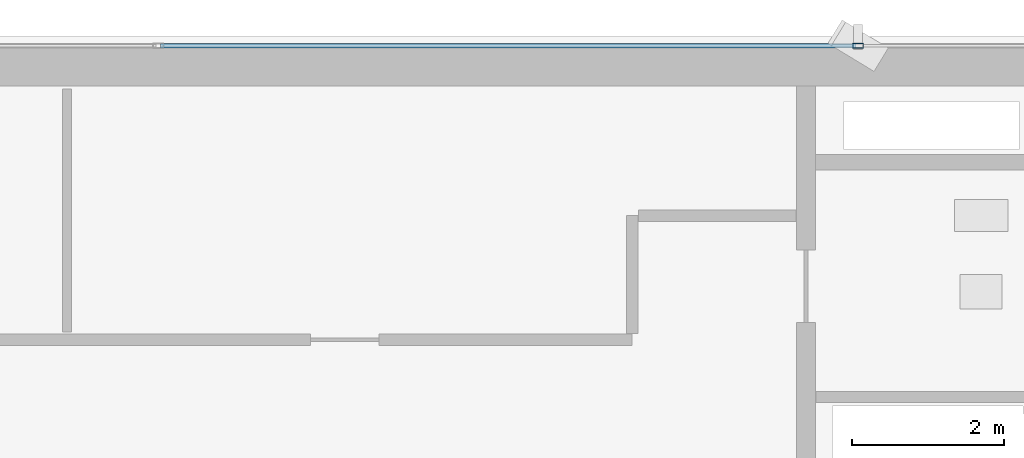
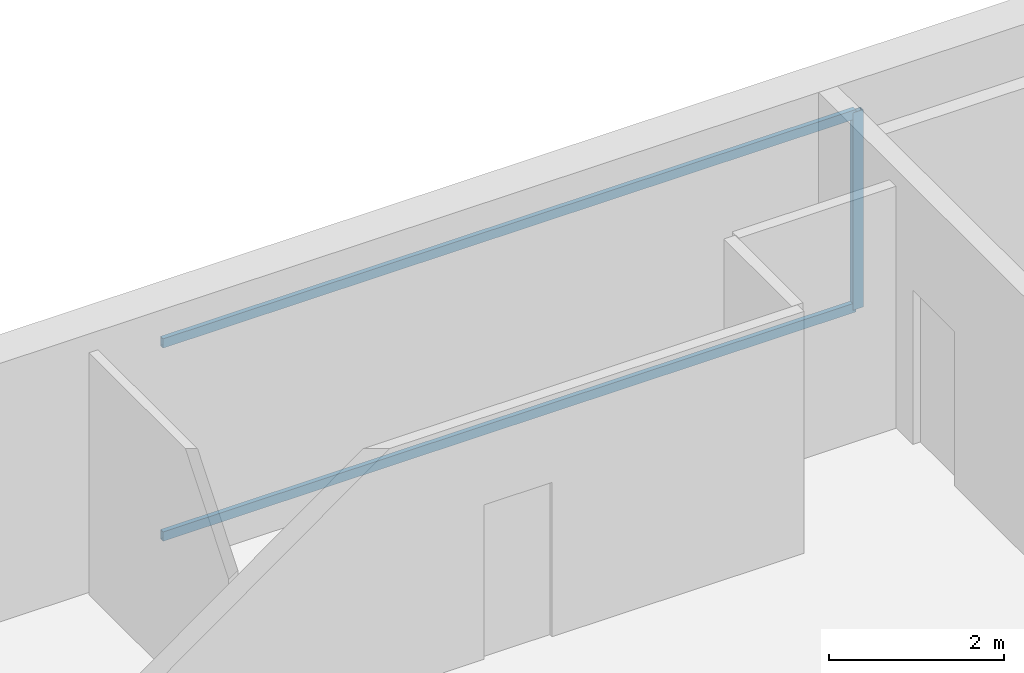
# One storey, part 17 of 27: 3 members, 1 element without a shape of its own.
"""IFC4 building model written with IfcOpenShell, lengths in metres."""

from ifc_helpers import new_model, si_unit, direction, frame, origin, origin_2d, place, context, subcontext, project, spatial, hollow_rectangle, extrude, source, transform, mapped, material, layer, layer_set, material_profile, profile_set, type_object, element, aggregate, save


model = new_model("IFC4")

# Units and contexts
model_context = context("Model", 3, precision=1e-05, world=origin(), true_north=direction((0.0, 1.0)))
body_context = subcontext(model_context, "Body", "Model", "MODEL_VIEW")
ifc_project = project(units=[si_unit("LENGTHUNIT", "METRE"), si_unit("AREAUNIT", "SQUARE_METRE"), si_unit("VOLUMEUNIT", "CUBIC_METRE"), si_unit("PLANEANGLEUNIT", "RADIAN"), si_unit("MASSUNIT", "GRAM", prefix="KILO")], contexts=[model_context])

# Site, building, storey
site_placement = place(None, origin())
site = spatial("IfcSite", under=ifc_project, at=site_placement, CompositionType="ELEMENT")
building_placement = place(site_placement, origin())
building = spatial("IfcBuilding", under=site, at=building_placement, Name="Sumidabori Civic Tower", CompositionType="ELEMENT")
storey_placement = place(building_placement, frame((0.0, 0.0, 228.800048828125)))
storey = spatial("IfcBuildingStorey", under=building, at=storey_placement, Name="L59", CompositionType="ELEMENT", Elevation=228.800048828125)

# Curtain wall, members
ifc_material = material(Name="Anodised Bronze Aluminium AW-6063-T6", Category="aluminium")
ifc_layer = layer(ifc_material, 0.179931640625, Name="Anodised Bronze Aluminium AW-6063-T6")
ifc_layer_set = layer_set([ifc_layer], Name="Anodised Bronze Aluminium AW-6063-T6")
curtain_wall_type = type_object("IfcCurtainWallType", Name="CW-SYS-5", PredefinedType="NOTDEFINED", material=ifc_layer_set)
curtain_wall_placement = place(storey_placement, origin())
curtain_wall = element("IfcCurtainWall", 1, at=curtain_wall_placement, inside=storey, type_object=curtain_wall_type, Name="Curtain Wall CW:L59:R08", PredefinedType="NOTDEFINED")
ifc_material_profile_1 = material_profile(ifc_material, hollow_rectangle(XDim=0.06005859375, YDim=0.1298828125, WallThickness=0.0048828125, at=origin_2d()), Name="ALU TRANSOM 130x60")
ifc_profile_set_1 = profile_set([ifc_material_profile_1], Name="Anodised Bronze Aluminium AW-6063-T6")
member_type_1 = type_object("IfcMemberType", Name="CW-TRN-130", PredefinedType="USERDEFINED", material=ifc_profile_set_1)
shared_shape_1 = source(origin(), body_context, "Body", "SweptSolid", [
    extrude(hollow_rectangle(XDim=0.06005859375, YDim=0.1298828125, WallThickness=0.0048828125, at=origin_2d()), origin(), (0.0, 0.0, 1.0), 9.125),
])
member_1_placement = place(storey_placement, frame((9.155029296875, 24.080078125, 0.030029296875), z_axis=(-1.0, 0.0, 0.0), x_axis=(0.0, -1.0, 0.0)))
member_1 = element("IfcMember", 2, at=member_1_placement, type_object=member_type_1, Name="CW-5 transom 2.1", ObjectType="TRANSOM", PredefinedType="USERDEFINED", context=body_context, shape_type="MappedRepresentation", body=[
    mapped(shared_shape_1, transform((0.0, 0.0, 0.0), x_axis=(1.0, 0.0, 0.0), y_axis=(0.0, 1.0, 0.0), z_axis=(0.0, 0.0, 1.0), scale=1.0)),
])
member_2_placement = place(storey_placement, frame((9.155029296875, 24.080078125, 2.719970703125), z_axis=(-1.0, 0.0, 0.0), x_axis=(0.0, -1.0, 0.0)))
member_2 = element("IfcMember", 3, at=member_2_placement, type_object=member_type_1, Name="CW-5 transom 2.2", ObjectType="TRANSOM", PredefinedType="USERDEFINED", context=body_context, shape_type="MappedRepresentation", body=[
    mapped(shared_shape_1, transform((0.0, 0.0, 0.0), x_axis=(1.0, 0.0, 0.0), y_axis=(0.0, 1.0, 0.0), z_axis=(0.0, 0.0, 1.0), scale=1.0)),
])
ifc_material_profile_2 = material_profile(ifc_material, hollow_rectangle(XDim=0.06005859375, YDim=0.139892578125, WallThickness=0.0048828125, at=origin_2d()), Name="ALU MULLION 140x60")
ifc_profile_set_2 = profile_set([ifc_material_profile_2], Name="Anodised Bronze Aluminium AW-6063-T6")
member_type_2 = type_object("IfcMemberType", Name="CW-MUL-140", PredefinedType="MULLION", material=ifc_profile_set_2)
shared_shape_2 = source(origin(), body_context, "Body", "SweptSolid", [
    extrude(hollow_rectangle(XDim=0.06005859375, YDim=0.139892578125, WallThickness=0.0048828125, at=origin_2d()), origin(), (0.0, 0.0, 1.0), 2.75),
])
member_3_placement = place(storey_placement, frame((9.18505859375, 24.080078125, 0.0), z_axis=(0.0, 0.0, 1.0), x_axis=(0.0, -1.0, 0.0)))
member_3 = element("IfcMember", 4, at=member_3_placement, type_object=member_type_2, Name="CW-5 mullion 2", PredefinedType="MULLION", context=body_context, shape_type="MappedRepresentation", body=[
    mapped(shared_shape_2, transform((0.0, 0.0, 0.0), x_axis=(1.0, 0.0, 0.0), y_axis=(0.0, 1.0, 0.0), z_axis=(0.0, 0.0, 1.0), scale=1.0)),
])
aggregate(curtain_wall, [member_3, member_1, member_2])

save(model, "model.ifc")
